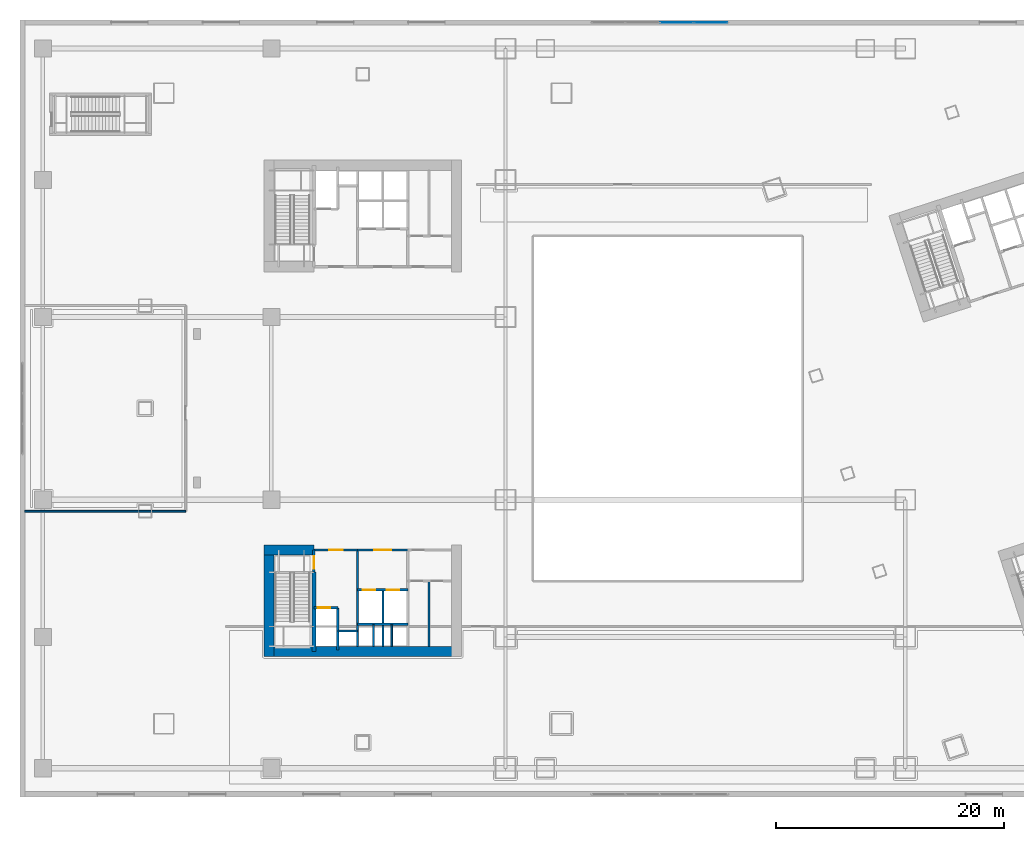
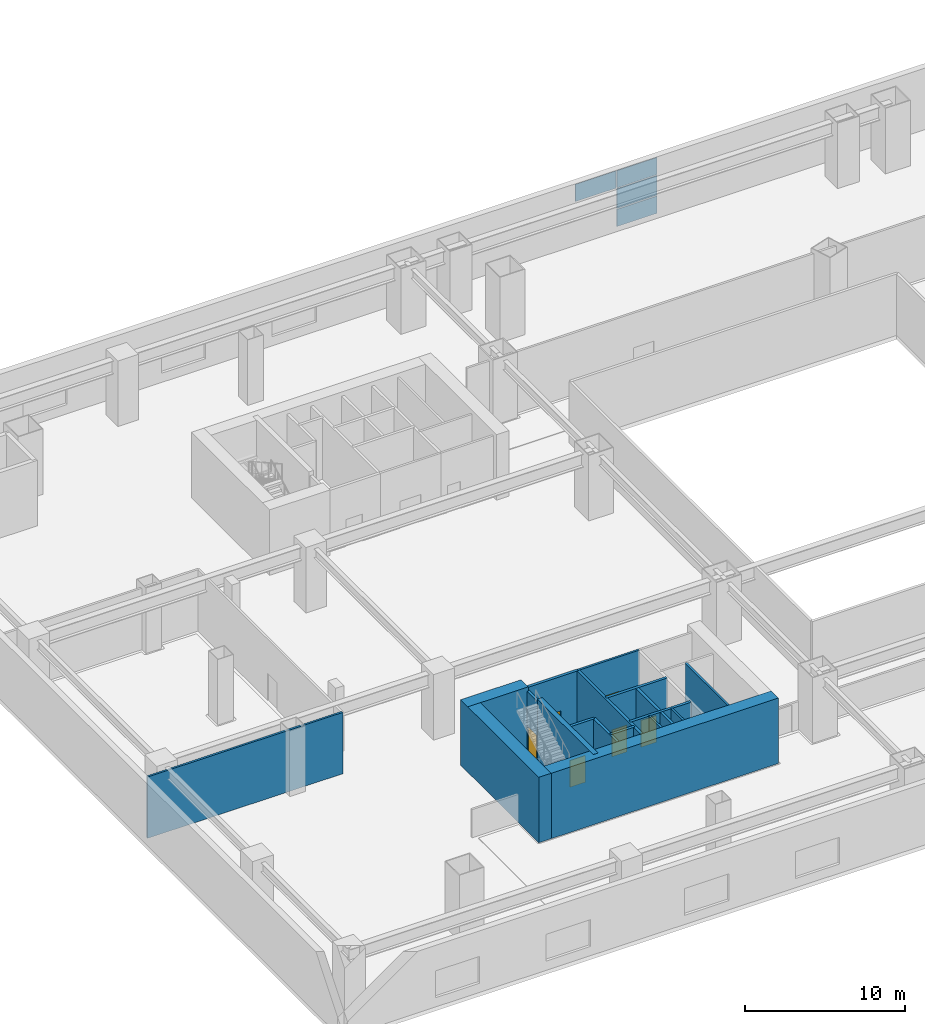
# One storey, part 22 of 35: 18 walls, 6 doors, 4 plates, 6 openings, 1 element without a shape of its own.
"""IFC4 building model written with IfcOpenShell, lengths in metres."""

from ifc_helpers import new_model, si_unit, direction, frame, frame_2d, origin, origin_2d, place, context, subcontext, project, spatial, rectangle, extrude, material, layer, layer_set, type_object, element, fill, aggregate, save


model = new_model("IFC4")

# Units and contexts
model_context = context("Model", 3, precision=1e-05, world=origin(), true_north=direction((0.0, 1.0)))
body_context = subcontext(model_context, "Body", "Model", "MODEL_VIEW")
ifc_project = project(units=[si_unit("LENGTHUNIT", "METRE"), si_unit("AREAUNIT", "SQUARE_METRE"), si_unit("VOLUMEUNIT", "CUBIC_METRE"), si_unit("PLANEANGLEUNIT", "RADIAN"), si_unit("MASSUNIT", "GRAM", prefix="KILO")], contexts=[model_context])

# Site, building, storey
site_placement = place(None, origin())
site = spatial("IfcSite", under=ifc_project, at=site_placement, CompositionType="ELEMENT")
building_placement = place(site_placement, origin())
building = spatial("IfcBuilding", under=site, at=building_placement, Name="Qiaolan Cultural Towers", CompositionType="ELEMENT")
storey_placement = place(building_placement, frame((0.0, 0.0, 11.5)))
storey = spatial("IfcBuildingStorey", under=building, at=storey_placement, Name="L02", CompositionType="ELEMENT", Elevation=11.5)

# Curtain wall, plates
ifc_material_1 = material(Name="Unitized Anodized Aluminium Curtain Wall System", Category="aluminium")
ifc_layer_1 = layer(ifc_material_1, 0.199951171875)
ifc_layer_set_1 = layer_set([ifc_layer_1], Name="Unitized Anodized Aluminium Curtain Wall System")
curtain_wall_type = type_object("IfcCurtainWallType", Name="CWS-01", PredefinedType="NOTDEFINED", material=ifc_layer_set_1)
curtain_wall_placement = place(storey_placement, origin())
curtain_wall = element("IfcCurtainWall", 1, at=curtain_wall_placement, inside=storey, type_object=curtain_wall_type, Name="L02 North Atrium Curtain Wall", PredefinedType="NOTDEFINED")
ifc_material_2 = material(Name="Laminated Low-E Insulating Glass Unit", Category="glass")
ifc_layer_2 = layer(ifc_material_2, 0.035888671875)
ifc_layer_set_2 = layer_set([ifc_layer_2], Name="Laminated Low-E Insulating Glass Unit")
plate_type = type_object("IfcPlateType", Name="CWS-01-PNL", PredefinedType="CURTAIN_PANEL", material=ifc_layer_set_2)
plate_1_placement = place(storey_placement, frame((57.5, 67.780029296875, 3.172607421875), z_axis=(0.0, 0.0, 1.0), x_axis=(1.0, 0.0, 0.0)))
plate_1 = element("IfcPlate", 2, at=plate_1_placement, type_object=plate_type, Name="CW-1 panel 3.3", PredefinedType="CURTAIN_PANEL", context=body_context, shape_type="SweptSolid", body=[
    extrude(rectangle(XDim=2.925048828125, YDim=0.035888671875, at=origin_2d()), origin(), (0.0, 0.0, 1.0), 1.3125),
])
plate_2_placement = place(storey_placement, frame((60.481201171875, 67.780029296875, 0.215087890625), z_axis=(0.0, 0.0, 1.0), x_axis=(1.0, 0.0, 0.0)))
plate_2 = element("IfcPlate", 3, at=plate_2_placement, type_object=plate_type, Name="CW-1 panel 4.1", PredefinedType="CURTAIN_PANEL", context=body_context, shape_type="SweptSolid", body=[
    extrude(rectangle(XDim=2.887451171875, YDim=0.035888671875, at=origin_2d()), origin(), (0.0, 0.0, 1.0), 1.3125),
])
plate_3_placement = place(storey_placement, frame((60.481201171875, 67.780029296875, 1.5927734375), z_axis=(0.0, 0.0, 1.0), x_axis=(1.0, 0.0, 0.0)))
plate_3 = element("IfcPlate", 4, at=plate_3_placement, type_object=plate_type, Name="CW-1 panel 4.2", PredefinedType="CURTAIN_PANEL", context=body_context, shape_type="SweptSolid", body=[
    extrude(rectangle(XDim=2.887451171875, YDim=0.035888671875, at=origin_2d()), origin(), (0.0, 0.0, 1.0), 1.514892578125),
])
plate_4_placement = place(storey_placement, frame((60.481201171875, 67.780029296875, 3.172607421875), z_axis=(0.0, 0.0, 1.0), x_axis=(1.0, 0.0, 0.0)))
plate_4 = element("IfcPlate", 5, at=plate_4_placement, type_object=plate_type, Name="CW-1 panel 4.3", PredefinedType="CURTAIN_PANEL", context=body_context, shape_type="SweptSolid", body=[
    extrude(rectangle(XDim=2.887451171875, YDim=0.035888671875, at=origin_2d()), origin(), (0.0, 0.0, 1.0), 1.3125),
])
aggregate(curtain_wall, [plate_1, plate_2, plate_3, plate_4])

# Walls
ifc_material_3 = material(Name="Concrete C50", Category="concrete")
ifc_layer_3 = layer(ifc_material_3, 0.35009765625)
ifc_layer_set_3 = layer_set([ifc_layer_3], Name="Concrete C50")
wall_type_1 = type_object("IfcWallType", Name="WL-CORE-350", PredefinedType="SHEAR", material=ifc_layer_set_3)
wall_1_placement = place(storey_placement, frame((25.719970703125, 19.699951171875, 0.0), z_axis=(0.0, 0.0, 1.0), x_axis=(0.0, -1.0, 0.0)))
element("IfcWall", 6, at=wall_1_placement, inside=storey, type_object=wall_type_1, Name="L02 T1-CS Stair Core Dividing Web", PredefinedType="SHEAR", context=body_context, shape_type="SweptSolid", body=[
    extrude(rectangle(XDim=6.97998046875, YDim=0.35009765625, at=frame_2d((3.489990234375, 0.0))), origin(), (0.0, 0.0, 1.0), 5.0),
])
ifc_material_4 = material(Name="Concrete C60", Category="concrete")
ifc_layer_4 = layer(ifc_material_4, 0.89990234375)
ifc_layer_set_4 = layer_set([ifc_layer_4], Name="Concrete C60")
wall_type_2 = type_object("IfcWallType", Name="WL-CORE-900", PredefinedType="SHEAR", material=ifc_layer_set_4)
wall_2_placement = place(storey_placement, frame((21.35009765625, 12.719970703125, 0.0), z_axis=(0.0, 0.0, 1.0), x_axis=(1.0, 0.0, 0.0)))
element("IfcWall", 7, at=wall_2_placement, inside=storey, type_object=wall_type_2, Name="L02 T1-CS Outer Core Shear Wall", PredefinedType="SHEAR", context=body_context, shape_type="SweptSolid", body=[
    extrude(rectangle(XDim=17.2998046875, YDim=0.89990234375, at=frame_2d((8.64990234375, 0.0))), origin(), (0.0, 0.0, 1.0), 5.0),
])
wall_3_placement = place(storey_placement, frame((21.800048828125, 22.050048828125, 0.0), z_axis=(0.0, 0.0, 1.0), x_axis=(0.0, -1.0, 0.0)))
element("IfcWall", 8, at=wall_3_placement, inside=storey, type_object=wall_type_2, Name="L02 T1-CS West Core Shear Wall", PredefinedType="SHEAR", context=body_context, shape_type="SweptSolid", body=[
    extrude(rectangle(XDim=9.780029296875, YDim=0.89990234375, at=frame_2d((4.89013671875, 0.0))), origin(), (0.0, 0.0, 1.0), 5.0),
])
wall_4_placement = place(storey_placement, frame((21.35009765625, 21.60009765625, 0.0), z_axis=(0.0, 0.0, 1.0), x_axis=(1.0, 0.0, 0.0)))
element("IfcWall", 9, at=wall_4_placement, inside=storey, type_object=wall_type_2, Name="L02 T1-CS Stair Front Shear Wall", PredefinedType="SHEAR", context=body_context, shape_type="SweptSolid", body=[
    extrude(rectangle(XDim=4.369873046875, YDim=0.89990234375, at=frame_2d((2.18505859375, 0.0))), origin(), (0.0, 0.0, 1.0), 5.0),
])

# Wall, opening, door
ifc_material_5 = material(Name="Concrete C35 Fire Wall", Category="concrete")
ifc_layer_5 = layer(ifc_material_5, 0.199951171875)
ifc_layer_set_5 = layer_set([ifc_layer_5], Name="Concrete C35 Fire Wall")
wall_type_3 = type_object("IfcWallType", Name="WL-FIRE-200", PredefinedType="PARTITIONING", material=ifc_layer_set_5)
wall_5_placement = place(storey_placement, frame((25.719970703125, 21.60009765625, 0.0), z_axis=(0.0, 0.0, 1.0), x_axis=(0.0, -1.0, 0.0)))
wall_5 = element("IfcWall", 10, at=wall_5_placement, inside=storey, type_object=wall_type_3, Name="L02 T1-CS Smokeproof Stair Entry Wall", PredefinedType="PARTITIONING", context=body_context, shape_type="SweptSolid", body=[
    extrude(rectangle(XDim=1.900146484375, YDim=0.199951171875, at=frame_2d((0.9501953125, 0.0))), origin(), (0.0, 0.0, 1.0), 4.68505859375),
])
opening_1_placement = place(wall_5_placement, frame((0.52001953125, 0.0, 0.0)))
opening_1 = element("IfcOpeningElement", 11, at=opening_1_placement, cuts=wall_5, Name="Opening FD-04", PredefinedType="OPENING", context=body_context, shape_type="SweptSolid", body=[
    extrude(rectangle(XDim=1.10009765625, YDim=2.050048828125, at=frame_2d((0.550048828125, 1.02490234375))), frame((0.0, 0.10986328125, 0.0), z_axis=(0.0, -1.0, 0.0), x_axis=(1.0, 0.0, 0.0)), (0.0, 0.0, 1.0), 0.219970703125),
])
ifc_material_6 = material(Name="Galvanized Steel Command Fire Door", Category="steel")
door_type_1 = type_object("IfcDoorType", Name="DR-FD90-1100", OperationType="NOTDEFINED", PredefinedType="DOOR", material=ifc_material_6)
door_1_placement = place(opening_1_placement, origin())
door_1 = element("IfcDoor", 12, at=door_1_placement, inside=storey, type_object=door_type_1, Name="L02 ST-W1 Smokeproof Stair Fire Door", OperationType="SINGLE_SWING_LEFT", OverallHeight=2.050048828125, OverallWidth=1.10009765625, PredefinedType="DOOR", context=body_context, shape_type="SweptSolid", body=[
    extrude(rectangle(XDim=1.10009765625, YDim=2.050048828125, at=frame_2d((0.550048828125, 1.02490234375))), frame((0.0, 0.02490234375, 0.0), z_axis=(0.0, -1.0, 0.0), x_axis=(1.0, 0.0, 0.0)), (0.0, 0.0, 1.0), 0.050048828125),
])
fill(opening_1, door_1)

# Wall
wall_6_placement = place(storey_placement, frame((29.550048828125, 21.60009765625, 0.0), z_axis=(0.0, 0.0, 1.0), x_axis=(0.0, -1.0, 0.0)))
element("IfcWall", 13, at=wall_6_placement, inside=storey, type_object=wall_type_3, Name="L02 T1-CS Firefighting Zone Wall", PredefinedType="PARTITIONING", context=body_context, shape_type="SweptSolid", body=[
    extrude(rectangle(XDim=8.43017578125, YDim=0.199951171875, at=frame_2d((4.215087890625, 0.0))), origin(), (0.0, 0.0, 1.0), 4.68505859375),
])

# Wall, opening, door
wall_7_placement = place(storey_placement, frame((25.719970703125, 21.60009765625, 0.0), z_axis=(0.0, 0.0, 1.0), x_axis=(1.0, 0.0, 0.0)))
wall_7 = element("IfcWall", 14, at=wall_7_placement, inside=storey, type_object=wall_type_3, Name="L02 T1-CS Firefighting Lobby Front Wall", PredefinedType="PARTITIONING", context=body_context, shape_type="SweptSolid", body=[
    extrude(rectangle(XDim=3.830078125, YDim=0.199951171875, at=frame_2d((1.9150390625, 0.0))), origin(), (0.0, 0.0, 1.0), 4.68505859375),
])
opening_2_placement = place(wall_7_placement, frame((1.35009765625, 0.0, 0.0)))
opening_2 = element("IfcOpeningElement", 15, at=opening_2_placement, cuts=wall_7, Name="Opening FD-03", PredefinedType="OPENING", context=body_context, shape_type="SweptSolid", body=[
    extrude(rectangle(XDim=1.199951171875, YDim=2.050048828125, at=frame_2d((0.60009765625, 1.02490234375))), frame((0.0, 0.10986328125, 0.0), z_axis=(0.0, -1.0, 0.0), x_axis=(1.0, 0.0, 0.0)), (0.0, 0.0, 1.0), 0.219970703125),
])
ifc_material_7 = material(Name="Galvanized Steel Smokeproof Lobby Fire Door", Category="steel")
door_type_2 = type_object("IfcDoorType", Name="DR-FD90-1200", OperationType="NOTDEFINED", PredefinedType="DOOR", material=ifc_material_7)
door_2_placement = place(opening_2_placement, origin())
door_2 = element("IfcDoor", 16, at=door_2_placement, inside=storey, type_object=door_type_2, Name="L02 FFL-W1 Firefighting Lobby Fire Door", OperationType="SINGLE_SWING_LEFT", OverallHeight=2.050048828125, OverallWidth=1.199951171875, PredefinedType="DOOR", context=body_context, shape_type="SweptSolid", body=[
    extrude(rectangle(XDim=1.199951171875, YDim=2.050048828125, at=frame_2d((0.60009765625, 1.02490234375))), frame((0.0, 0.02490234375, 0.0), z_axis=(0.0, -1.0, 0.0), x_axis=(1.0, 0.0, 0.0)), (0.0, 0.0, 1.0), 0.050048828125),
])
fill(opening_2, door_2)

wall_8_placement = place(storey_placement, frame((25.719970703125, 16.550048828125, 0.0), z_axis=(0.0, 0.0, 1.0), x_axis=(1.0, 0.0, 0.0)))
wall_8 = element("IfcWall", 17, at=wall_8_placement, inside=storey, type_object=wall_type_3, Name="L02 T1-CS Firefighting Shaft Front Wall", PredefinedType="PARTITIONING", context=body_context, shape_type="SweptSolid", body=[
    extrude(rectangle(XDim=2.10009765625, YDim=0.199951171875, at=frame_2d((1.050048828125, 0.0))), origin(), (0.0, 0.0, 1.0), 4.68505859375),
])
opening_3_placement = place(wall_8_placement, frame((0.35009765625, 0.0, 0.0)))
opening_3 = element("IfcOpeningElement", 18, at=opening_3_placement, cuts=wall_8, Name="Opening LD-01", PredefinedType="OPENING", context=body_context, shape_type="SweptSolid", body=[
    extrude(rectangle(XDim=1.10009765625, YDim=2.050048828125, at=frame_2d((0.550048828125, 1.02490234375))), frame((0.0, 0.10986328125, 0.0), z_axis=(0.0, -1.0, 0.0), x_axis=(1.0, 0.0, 0.0)), (0.0, 0.0, 1.0), 0.219970703125),
])
ifc_material_8 = material(Name="Brushed Stainless Steel S30408 Centre-Parting Lift Landing Door", Category="steel")
door_type_3 = type_object("IfcDoorType", Name="DR-LIFT-1100", OperationType="NOTDEFINED", PredefinedType="DOOR", material=ifc_material_8)
door_3_placement = place(opening_3_placement, origin())
door_3 = element("IfcDoor", 19, at=door_3_placement, inside=storey, type_object=door_type_3, Name="L02 FFL-W1 Firefighting Lift Landing Door", OperationType="DOUBLE_DOOR_SLIDING", OverallHeight=2.050048828125, OverallWidth=1.10009765625, PredefinedType="DOOR", context=body_context, shape_type="SweptSolid", body=[
    extrude(rectangle(XDim=1.10009765625, YDim=2.050048828125, at=frame_2d((0.550048828125, 1.02490234375))), frame((0.0, 0.02490234375, 0.0), z_axis=(0.0, -1.0, 0.0), x_axis=(1.0, 0.0, 0.0)), (0.0, 0.0, 1.0), 0.050048828125),
])
fill(opening_3, door_3)

# Walls
wall_9_placement = place(storey_placement, frame((27.820068359375, 16.550048828125, 0.0), z_axis=(0.0, 0.0, 1.0), x_axis=(0.0, -1.0, 0.0)))
element("IfcWall", 20, at=wall_9_placement, inside=storey, type_object=wall_type_3, Name="L02 T1-CS Firefighting Hoistway East Wall", PredefinedType="PARTITIONING", context=body_context, shape_type="SweptSolid", body=[
    extrude(rectangle(XDim=3.699951171875, YDim=0.199951171875, at=frame_2d((1.85009765625, 0.0))), origin(), (0.0, 0.0, 1.0), 4.68505859375),
])
wall_10_placement = place(storey_placement, frame((27.820068359375, 14.52001953125, 0.0), z_axis=(0.0, 0.0, 1.0), x_axis=(1.0, 0.0, 0.0)))
element("IfcWall", 21, at=wall_10_placement, inside=storey, type_object=wall_type_3, Name="L02 T1-CS Pressurization Shaft Front Wall", PredefinedType="PARTITIONING", context=body_context, shape_type="SweptSolid", body=[
    extrude(rectangle(XDim=1.72998046875, YDim=0.199951171875, at=frame_2d((0.864990234375, 0.0))), origin(), (0.0, 0.0, 1.0), 4.68505859375),
])

# Wall, openings, doors
wall_11_placement = place(storey_placement, frame((29.550048828125, 18.1201171875, 0.0), z_axis=(0.0, 0.0, 1.0), x_axis=(1.0, 0.0, 0.0)))
wall_11 = element("IfcWall", 22, at=wall_11_placement, inside=storey, type_object=wall_type_3, Name="L02 T1-CS Passenger Lift Shaft Front Wall", PredefinedType="PARTITIONING", context=body_context, shape_type="SweptSolid", body=[
    extrude(rectangle(XDim=4.39990234375, YDim=0.199951171875, at=frame_2d((2.199951171875, 0.0))), origin(), (0.0, 0.0, 1.0), 4.68505859375),
])
opening_4_placement = place(wall_11_placement, frame((0.449951171875, 0.0, 0.0)))
opening_4 = element("IfcOpeningElement", 23, at=opening_4_placement, cuts=wall_11, Name="Opening LD-01", PredefinedType="OPENING", context=body_context, shape_type="SweptSolid", body=[
    extrude(rectangle(XDim=1.10009765625, YDim=2.050048828125, at=frame_2d((0.550048828125, 1.02490234375))), frame((0.0, 0.10986328125, 0.0), z_axis=(0.0, -1.0, 0.0), x_axis=(1.0, 0.0, 0.0)), (0.0, 0.0, 1.0), 0.219970703125),
])
opening_5_placement = place(wall_11_placement, frame((2.550048828125, 0.0, 0.0)))
opening_5 = element("IfcOpeningElement", 24, at=opening_5_placement, cuts=wall_11, Name="Opening LD-01", PredefinedType="OPENING", context=body_context, shape_type="SweptSolid", body=[
    extrude(rectangle(XDim=1.10009765625, YDim=2.050048828125, at=frame_2d((0.550048828125, 1.02490234375))), frame((0.0, 0.10986328125, 0.0), z_axis=(0.0, -1.0, 0.0), x_axis=(1.0, 0.0, 0.0)), (0.0, 0.0, 1.0), 0.219970703125),
])
door_4_placement = place(opening_4_placement, origin())
door_4 = element("IfcDoor", 25, at=door_4_placement, inside=storey, type_object=door_type_3, Name="L02 Passenger Lift 1 Landing Door", OperationType="DOUBLE_DOOR_SLIDING", OverallHeight=2.050048828125, OverallWidth=1.10009765625, PredefinedType="DOOR", context=body_context, shape_type="SweptSolid", body=[
    extrude(rectangle(XDim=1.10009765625, YDim=2.050048828125, at=frame_2d((0.550048828125, 1.02490234375))), frame((0.0, 0.02490234375, 0.0), z_axis=(0.0, -1.0, 0.0), x_axis=(1.0, 0.0, 0.0)), (0.0, 0.0, 1.0), 0.050048828125),
])
fill(opening_4, door_4)
door_5_placement = place(opening_5_placement, origin())
door_5 = element("IfcDoor", 26, at=door_5_placement, inside=storey, type_object=door_type_3, Name="L02 Passenger Lift 2 Landing Door", OperationType="DOUBLE_DOOR_SLIDING", OverallHeight=2.050048828125, OverallWidth=1.10009765625, PredefinedType="DOOR", context=body_context, shape_type="SweptSolid", body=[
    extrude(rectangle(XDim=1.10009765625, YDim=2.050048828125, at=frame_2d((0.550048828125, 1.02490234375))), frame((0.0, 0.02490234375, 0.0), z_axis=(0.0, -1.0, 0.0), x_axis=(1.0, 0.0, 0.0)), (0.0, 0.0, 1.0), 0.050048828125),
])
fill(opening_5, door_5)

# Walls
wall_12_placement = place(storey_placement, frame((31.780029296875, 18.1201171875, 0.0), z_axis=(0.0, 0.0, 1.0), x_axis=(0.0, -1.0, 0.0)))
element("IfcWall", 27, at=wall_12_placement, inside=storey, type_object=wall_type_3, Name="L02 T1-CS Lift Shaft Divider Wall", PredefinedType="PARTITIONING", context=body_context, shape_type="SweptSolid", body=[
    extrude(rectangle(XDim=4.9501953125, YDim=0.199951171875, at=frame_2d((2.47509765625, 0.0))), origin(), (0.0, 0.0, 1.0), 4.68505859375),
])
wall_13_placement = place(storey_placement, frame((29.550048828125, 15.10009765625, 0.0), z_axis=(0.0, 0.0, 1.0), x_axis=(1.0, 0.0, 0.0)))
element("IfcWall", 28, at=wall_13_placement, inside=storey, type_object=wall_type_3, Name="L02 T1-CS Passenger Lift Shaft Back Wall", PredefinedType="PARTITIONING", context=body_context, shape_type="SweptSolid", body=[
    extrude(rectangle(XDim=4.39990234375, YDim=0.199951171875, at=frame_2d((2.199951171875, 0.0))), origin(), (0.0, 0.0, 1.0), 4.68505859375),
])

# Wall, opening, door
ifc_material_9 = material(Name="Autoclaved Aerated Concrete Block B06", Category="concrete")
ifc_layer_6 = layer(ifc_material_9, 0.14990234375)
ifc_layer_set_6 = layer_set([ifc_layer_6], Name="Autoclaved Aerated Concrete Block B06")
wall_type_4 = type_object("IfcWallType", Name="WL-PART-150", PredefinedType="PARTITIONING", material=ifc_layer_set_6)
wall_14_placement = place(storey_placement, frame((29.550048828125, 21.60009765625, 0.0), z_axis=(0.0, 0.0, 1.0), x_axis=(1.0, 0.0, 0.0)))
wall_14 = element("IfcWall", 29, at=wall_14_placement, inside=storey, type_object=wall_type_4, Name="L02 T1-CS Passenger Lift Lobby Front Wall", PredefinedType="PARTITIONING", context=body_context, shape_type="SweptSolid", body=[
    extrude(rectangle(XDim=4.39990234375, YDim=0.14990234375, at=frame_2d((2.199951171875, 0.0))), origin(), (0.0, 0.0, 1.0), 4.68505859375),
])
opening_6_placement = place(wall_14_placement, frame((1.449951171875, 0.0, 0.0)))
opening_6 = element("IfcOpeningElement", 30, at=opening_6_placement, cuts=wall_14, Name="Opening FD-05", PredefinedType="OPENING", context=body_context, shape_type="SweptSolid", body=[
    extrude(rectangle(XDim=1.5, YDim=2.050048828125, at=frame_2d((0.75, 1.02490234375))), frame((0.0, 0.0849609375, 0.0), z_axis=(0.0, -1.0, 0.0), x_axis=(1.0, 0.0, 0.0)), (0.0, 0.0, 1.0), 0.169921875),
])
ifc_material_10 = material(Name="Painted Steel Lift Lobby Fire Door", Category="steel")
door_type_4 = type_object("IfcDoorType", Name="DR-FD60-1500", OperationType="NOTDEFINED", PredefinedType="DOOR", material=ifc_material_10)
door_6_placement = place(opening_6_placement, origin())
door_6 = element("IfcDoor", 31, at=door_6_placement, inside=storey, type_object=door_type_4, Name="L02 Passenger Lift Lobby Entrance", OperationType="SINGLE_SWING_LEFT", OverallHeight=2.050048828125, OverallWidth=1.5, PredefinedType="DOOR", context=body_context, shape_type="SweptSolid", body=[
    extrude(rectangle(XDim=1.5, YDim=2.050048828125, at=frame_2d((0.75, 1.02490234375))), frame((0.0, 0.02490234375, 0.0), z_axis=(0.0, -1.0, 0.0), x_axis=(1.0, 0.0, 0.0)), (0.0, 0.0, 1.0), 0.050048828125),
])
fill(opening_6, door_6)

# Walls
for number, where, z_axis, x_axis, name in (
    (32, (30.949951171875, 15.050048828125, 0.0), (0.0, 0.0, 1.0), (0.0, -1.0, 0.0), "L02 T1-CS Core Rear Split 1"),
    (33, (32.550048828125, 15.050048828125, 0.0), (0.0, 0.0, 1.0), (0.0, -1.0, 0.0), "L02 T1-CS Core Rear Split 2"),
):
    element("IfcWall", number, at=place(storey_placement, frame(where, z_axis=z_axis, x_axis=x_axis)), inside=storey, type_object=wall_type_4, Name=name, PredefinedType="PARTITIONING", context=body_context, shape_type="SweptSolid", body=[
        extrude(rectangle(XDim=1.880126953125, YDim=0.14990234375, at=frame_2d((0.93994140625, 0.0))), origin(), (0.0, 0.0, 1.0), 4.68505859375),
    ])
wall_15_placement = place(storey_placement, frame((35.800048828125, 18.89990234375, 0.0), z_axis=(0.0, 0.0, 1.0), x_axis=(0.0, -1.0, 0.0)))
element("IfcWall", 34, at=wall_15_placement, inside=storey, type_object=wall_type_4, Name="L02 T1-CS Restroom Divider Wall", PredefinedType="PARTITIONING", context=body_context, shape_type="SweptSolid", body=[
    extrude(rectangle(XDim=5.72998046875, YDim=0.14990234375, at=frame_2d((2.864990234375, 0.0))), origin(), (0.0, 0.0, 1.0), 4.68505859375),
])
wall_16_placement = place(storey_placement, frame((0.39990234375, 25.0, 0.0), z_axis=(0.0, 0.0, 1.0), x_axis=(1.0, 0.0, 0.0)))
element("IfcWall", 35, at=wall_16_placement, inside=storey, type_object=wall_type_4, Name="L02 Podium Partition L02-WS", PredefinedType="PARTITIONING", context=body_context, shape_type="SweptSolid", body=[
    extrude(rectangle(XDim=14.10009765625, YDim=0.14990234375, at=frame_2d((7.050048828125, 0.0))), origin(), (0.0, 0.0, 1.0), 4.68505859375),
])

save(model, "model.ifc")
